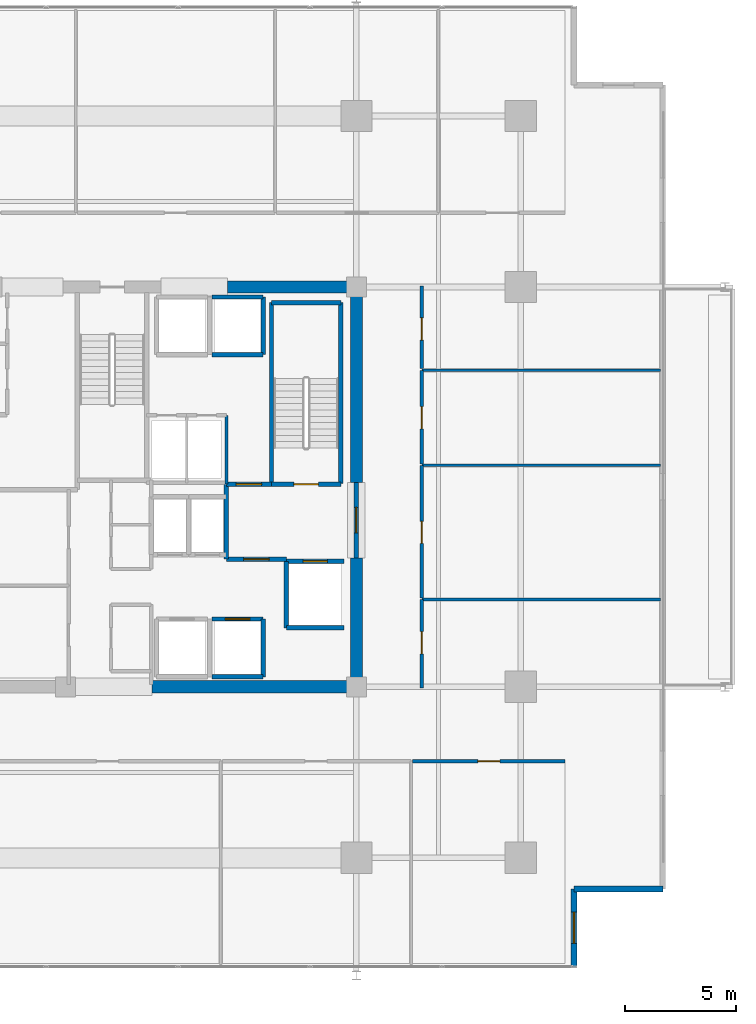
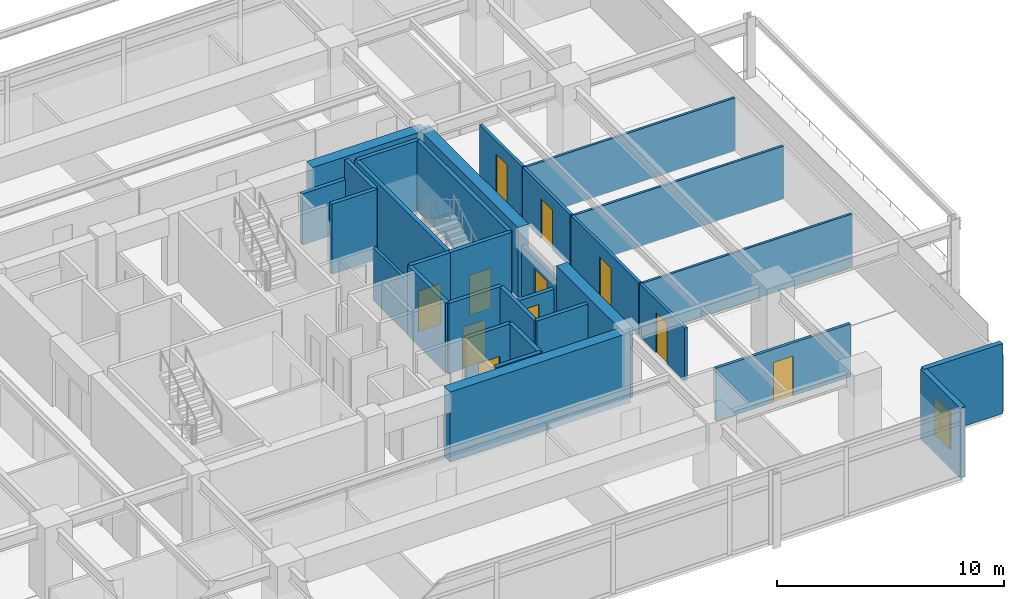
# One storey, part 16 of 21: 32 walls, 11 doors, 1 window, 12 openings.
"""IFC4 building model written with IfcOpenShell, lengths in metres."""

from ifc_helpers import new_model, si_unit, direction, frame, frame_2d, origin, place, context, subcontext, project, spatial, rectangle, extrude, material, layer, layer_set, type_object, element, fill, save


model = new_model("IFC4")

# Units and contexts
model_context = context("Model", 3, precision=1e-05, world=origin(), true_north=direction((0.0, 1.0)))
body_context = subcontext(model_context, "Body", "Model", "MODEL_VIEW")
ifc_project = project(units=[si_unit("LENGTHUNIT", "METRE"), si_unit("AREAUNIT", "SQUARE_METRE"), si_unit("VOLUMEUNIT", "CUBIC_METRE"), si_unit("PLANEANGLEUNIT", "RADIAN"), si_unit("MASSUNIT", "GRAM", prefix="KILO")], contexts=[model_context])

# Site, building, storey
site_placement = place(None, origin())
site = spatial("IfcSite", under=ifc_project, at=site_placement, CompositionType="ELEMENT")
building_placement = place(site_placement, origin())
building = spatial("IfcBuilding", under=site, at=building_placement, Name="Kovane Verandah Tower", CompositionType="ELEMENT")
storey_placement = place(building_placement, frame((0.0, 0.0, 205.199951171875)))
storey = spatial("IfcBuildingStorey", under=building, at=storey_placement, Name="L47", CompositionType="ELEMENT", Elevation=205.199951171875)

# Wall
ifc_material_1 = material(Name="Fire-Rated Gypsum Stud Partition", Category="gypsum")
ifc_layer_1 = layer(ifc_material_1, 0.14990234375)
ifc_layer_set_1 = layer_set([ifc_layer_1], Name="Fire-Rated Gypsum Stud Partition")
wall_type_1 = type_object("IfcWallType", Name="WL-COR-150", PredefinedType="PARTITIONING", material=ifc_layer_set_1)
wall_1_placement = place(storey_placement, frame((45.14990234375, 27.6201171875, 0.0), z_axis=(0.0, 0.0, 1.0), x_axis=(0.0, 1.0, 0.0)))
element("IfcWall", 1, at=wall_1_placement, inside=storey, type_object=wall_type_1, Name="L47 East Core Service Riser East Wall", PredefinedType="PARTITIONING", context=body_context, shape_type="SweptSolid", body=[
    extrude(rectangle(XDim=3.099853515625, YDim=0.14990234375, at=frame_2d((1.5498046875, 0.0))), origin(), (0.0, 0.0, 1.0), 2.85009765625),
])

# Wall, opening, door
wall_2_placement = place(storey_placement, frame((53.533935546875, 15.14990234375, 0.0), z_axis=(0.0, 0.0, 1.0), x_axis=(1.0, 0.0, 0.0)))
wall_2 = element("IfcWall", 2, at=wall_2_placement, inside=storey, type_object=wall_type_1, Name="L47 Document and Print Room S5 Corridor Partition", PredefinedType="PARTITIONING", context=body_context, shape_type="SweptSolid", body=[
    extrude(rectangle(XDim=6.865966796875, YDim=0.14990234375, at=frame_2d((3.43310546875, 0.0))), origin(), (0.0, 0.0, 1.0), 2.85009765625),
])
opening_1_placement = place(wall_2_placement, frame((2.93310546875, 0.0, 0.0)))
opening_1 = element("IfcOpeningElement", 3, at=opening_1_placement, cuts=wall_2, Name="Opening DR-L47-030", PredefinedType="OPENING", context=body_context, shape_type="SweptSolid", body=[
    extrude(rectangle(XDim=1.0, YDim=2.14990234375, at=frame_2d((0.5, 1.074951171875))), frame((0.0, 0.074951171875, 0.0), z_axis=(0.0, -1.0, 0.0), x_axis=(1.0, 0.0, 0.0)), (0.0, 0.0, 1.0), 0.14990234375),
])
ifc_material_2 = material(Name="FSC Spotted-Gum Timber Fire-Rated Office Door", Category="wood")
door_type_1 = type_object("IfcDoorType", Name="DR-OFF-1000", OperationType="SINGLE_SWING_LEFT", PredefinedType="DOOR", material=ifc_material_2)
door_1_placement = place(opening_1_placement, origin())
door_1 = element("IfcDoor", 4, at=door_1_placement, inside=storey, type_object=door_type_1, Name="L47 Document and Print Room S5 Entrance Door", OperationType="SINGLE_SWING_RIGHT", OverallHeight=2.14990234375, OverallWidth=1.0, PredefinedType="DOOR", context=body_context, shape_type="SweptSolid", body=[
    extrude(rectangle(XDim=1.0, YDim=2.14990234375, at=frame_2d((0.5, 1.074951171875))), frame((0.0, 0.02490234375, 0.0), z_axis=(0.0, -1.0, 0.0), x_axis=(1.0, 0.0, 0.0)), (0.0, 0.0, 1.0), 0.050048828125),
])
fill(opening_1, door_1)

wall_3_placement = place(storey_placement, frame((53.949951171875, 18.449951171875, 0.0), z_axis=(0.0, 0.0, 1.0), x_axis=(0.0, 1.0, 0.0)))
wall_3 = element("IfcWall", 5, at=wall_3_placement, inside=storey, type_object=wall_type_1, Name="L47 Meeting Room E1 Corridor Partition", PredefinedType="PARTITIONING", context=body_context, shape_type="SweptSolid", body=[
    extrude(rectangle(XDim=3.98193359375, YDim=0.14990234375, at=frame_2d((1.990966796875, 0.0))), origin(), (0.0, 0.0, 1.0), 2.85009765625),
])
opening_2_placement = place(wall_3_placement, frame((1.531005859375, 0.0, 0.0)))
opening_2 = element("IfcOpeningElement", 6, at=opening_2_placement, cuts=wall_3, Name="Opening DR-L47-012", PredefinedType="OPENING", context=body_context, shape_type="SweptSolid", body=[
    extrude(rectangle(XDim=1.0, YDim=2.14990234375, at=frame_2d((0.5, 1.074951171875))), frame((0.0, 0.074951171875, 0.0), z_axis=(0.0, -1.0, 0.0), x_axis=(1.0, 0.0, 0.0)), (0.0, 0.0, 1.0), 0.14990234375),
])
door_2_placement = place(opening_2_placement, origin())
door_2 = element("IfcDoor", 7, at=door_2_placement, inside=storey, type_object=door_type_1, Name="L47 Meeting Room E1 Entrance Door", OperationType="SINGLE_SWING_RIGHT", OverallHeight=2.14990234375, OverallWidth=1.0, PredefinedType="DOOR", context=body_context, shape_type="SweptSolid", body=[
    extrude(rectangle(XDim=1.0, YDim=2.14990234375, at=frame_2d((0.5, 1.074951171875))), frame((0.0, 0.02490234375, 0.0), z_axis=(0.0, -1.0, 0.0), x_axis=(1.0, 0.0, 0.0)), (0.0, 0.0, 1.0), 0.050048828125),
])
fill(opening_2, door_2)

wall_4_placement = place(storey_placement, frame((53.949951171875, 22.501953125, 0.0), z_axis=(0.0, 0.0, 1.0), x_axis=(0.0, 1.0, 0.0)))
wall_4 = element("IfcWall", 8, at=wall_4_placement, inside=storey, type_object=wall_type_1, Name="L47 Focus Studio E2 Corridor Partition", PredefinedType="PARTITIONING", context=body_context, shape_type="SweptSolid", body=[
    extrude(rectangle(XDim=5.968017578125, YDim=0.14990234375, at=frame_2d((2.98388671875, 0.0))), origin(), (0.0, 0.0, 1.0), 2.85009765625),
])
opening_3_placement = place(wall_4_placement, frame((2.448974609375, 0.0, 0.0)))
opening_3 = element("IfcOpeningElement", 9, at=opening_3_placement, cuts=wall_4, Name="Opening DR-L47-013", PredefinedType="OPENING", context=body_context, shape_type="SweptSolid", body=[
    extrude(rectangle(XDim=1.0, YDim=2.14990234375, at=frame_2d((0.5, 1.074951171875))), frame((0.0, 0.074951171875, 0.0), z_axis=(0.0, -1.0, 0.0), x_axis=(1.0, 0.0, 0.0)), (0.0, 0.0, 1.0), 0.14990234375),
])
door_3_placement = place(opening_3_placement, origin())
door_3 = element("IfcDoor", 10, at=door_3_placement, inside=storey, type_object=door_type_1, Name="L47 Focus Studio E2 Entrance Door", OperationType="SINGLE_SWING_LEFT", OverallHeight=2.14990234375, OverallWidth=1.0, PredefinedType="DOOR", context=body_context, shape_type="SweptSolid", body=[
    extrude(rectangle(XDim=1.0, YDim=2.14990234375, at=frame_2d((0.5, 1.074951171875))), frame((0.0, 0.02490234375, 0.0), z_axis=(0.0, -1.0, 0.0), x_axis=(1.0, 0.0, 0.0)), (0.0, 0.0, 1.0), 0.050048828125),
])
fill(opening_3, door_3)

wall_5_placement = place(storey_placement, frame((53.949951171875, 28.5400390625, 0.0), z_axis=(0.0, 0.0, 1.0), x_axis=(0.0, 1.0, 0.0)))
wall_5 = element("IfcWall", 11, at=wall_5_placement, inside=storey, type_object=wall_type_1, Name="L47 Breakout Pantry E3 Corridor Partition", PredefinedType="PARTITIONING", context=body_context, shape_type="SweptSolid", body=[
    extrude(rectangle(XDim=4.208984375, YDim=0.14990234375, at=frame_2d((2.1044921875, 0.0))), origin(), (0.0, 0.0, 1.0), 2.85009765625),
])
opening_4_placement = place(wall_5_placement, frame((1.569580078125, 0.0, 0.0)))
opening_4 = element("IfcOpeningElement", 12, at=opening_4_placement, cuts=wall_5, Name="Opening DR-L47-014", PredefinedType="OPENING", context=body_context, shape_type="SweptSolid", body=[
    extrude(rectangle(XDim=1.0, YDim=2.14990234375, at=frame_2d((0.5, 1.074951171875))), frame((0.0, 0.074951171875, 0.0), z_axis=(0.0, -1.0, 0.0), x_axis=(1.0, 0.0, 0.0)), (0.0, 0.0, 1.0), 0.14990234375),
])
door_4_placement = place(opening_4_placement, origin())
door_4 = element("IfcDoor", 13, at=door_4_placement, inside=storey, type_object=door_type_1, Name="L47 Breakout Pantry E3 Entrance Door", OperationType="SINGLE_SWING_RIGHT", OverallHeight=2.14990234375, OverallWidth=1.0, PredefinedType="DOOR", context=body_context, shape_type="SweptSolid", body=[
    extrude(rectangle(XDim=1.0, YDim=2.14990234375, at=frame_2d((0.5, 1.074951171875))), frame((0.0, 0.02490234375, 0.0), z_axis=(0.0, -1.0, 0.0), x_axis=(1.0, 0.0, 0.0)), (0.0, 0.0, 1.0), 0.050048828125),
])
fill(opening_4, door_4)

wall_6_placement = place(storey_placement, frame((53.949951171875, 32.819091796875, 0.0), z_axis=(0.0, 0.0, 1.0), x_axis=(0.0, 1.0, 0.0)))
wall_6 = element("IfcWall", 14, at=wall_6_placement, inside=storey, type_object=wall_type_1, Name="L47 Collaboration Hub E4 Corridor Partition", PredefinedType="PARTITIONING", context=body_context, shape_type="SweptSolid", body=[
    extrude(rectangle(XDim=3.73095703125, YDim=0.14990234375, at=frame_2d((1.865478515625, 0.0))), origin(), (0.0, 0.0, 1.0), 2.85009765625),
])
opening_5_placement = place(wall_6_placement, frame((1.29052734375, 0.0, 0.0)))
opening_5 = element("IfcOpeningElement", 15, at=opening_5_placement, cuts=wall_6, Name="Opening DR-L47-015", PredefinedType="OPENING", context=body_context, shape_type="SweptSolid", body=[
    extrude(rectangle(XDim=1.0, YDim=2.14990234375, at=frame_2d((0.5, 1.074951171875))), frame((0.0, 0.074951171875, 0.0), z_axis=(0.0, -1.0, 0.0), x_axis=(1.0, 0.0, 0.0)), (0.0, 0.0, 1.0), 0.14990234375),
])
door_5_placement = place(opening_5_placement, origin())
door_5 = element("IfcDoor", 16, at=door_5_placement, inside=storey, type_object=door_type_1, Name="L47 Collaboration Hub E4 Entrance Door", OperationType="SINGLE_SWING_LEFT", OverallHeight=2.14990234375, OverallWidth=1.0, PredefinedType="DOOR", context=body_context, shape_type="SweptSolid", body=[
    extrude(rectangle(XDim=1.0, YDim=2.14990234375, at=frame_2d((0.5, 1.074951171875))), frame((0.0, 0.02490234375, 0.0), z_axis=(0.0, -1.0, 0.0), x_axis=(1.0, 0.0, 0.0)), (0.0, 0.0, 1.0), 0.050048828125),
])
fill(opening_5, door_5)

# Walls
ifc_material_3 = material(Name="Concrete C60/75", Category="concrete")
ifc_layer_2 = layer(ifc_material_3, 0.550048828125)
ifc_layer_set_2 = layer_set([ifc_layer_2], Name="Concrete C60/75")
wall_type_2 = type_object("IfcWallType", Name="WL-CORE-550", PredefinedType="SHEAR", material=ifc_layer_set_2)
wall_7_placement = place(storey_placement, frame((41.800048828125, 18.5, 0.0), z_axis=(0.0, 0.0, 1.0), x_axis=(1.0, 0.0, 0.0)))
element("IfcWall", 17, at=wall_7_placement, inside=storey, type_object=wall_type_2, Name="L47 Core Shear Wall CS-2", PredefinedType="SHEAR", context=body_context, shape_type="SweptSolid", body=[
    extrude(rectangle(XDim=9.199951171875, YDim=0.550048828125, at=frame_2d((4.60009765625, 0.0))), origin(), (0.0, 0.0, 1.0), 3.775146484375),
])
for number, where, z_axis, x_axis, name in (
    (18, (45.199951171875, 36.5, 0.0), (0.0, 0.0, 1.0), (1.0, 0.0, 0.0), "L47 Core Shear Wall CN-3"),
    (19, (51.0, 18.5, 0.0), (0.0, 0.0, 1.0), (0.0, 1.0, 0.0), "L47 Core Shear Wall CE-1"),
):
    element("IfcWall", number, at=place(storey_placement, frame(where, z_axis=z_axis, x_axis=x_axis)), inside=storey, type_object=wall_type_2, Name=name, PredefinedType="SHEAR", context=body_context, shape_type="SweptSolid", body=[
        extrude(rectangle(XDim=5.800048828125, YDim=0.550048828125, at=frame_2d((2.89990234375, 0.0))), origin(), (0.0, 0.0, 1.0), 3.775146484375),
    ])
wall_8_placement = place(storey_placement, frame((51.0, 27.699951171875, 0.0), z_axis=(0.0, 0.0, 1.0), x_axis=(0.0, 1.0, 0.0)))
element("IfcWall", 20, at=wall_8_placement, inside=storey, type_object=wall_type_2, Name="L47 Core Shear Wall CE-2", PredefinedType="SHEAR", context=body_context, shape_type="SweptSolid", body=[
    extrude(rectangle(XDim=8.800048828125, YDim=0.550048828125, at=frame_2d((4.39990234375, 0.0))), origin(), (0.0, 0.0, 1.0), 3.775146484375),
])
ifc_material_4 = material(Name="Concrete C45/55 Fire Wall", Category="concrete")
ifc_layer_3 = layer(ifc_material_4, 0.199951171875)
ifc_layer_set_3 = layer_set([ifc_layer_3], Name="Concrete C45/55 Fire Wall")
wall_type_3 = type_object("IfcWallType", Name="WL-FFL-200", PredefinedType="PARTITIONING", material=ifc_layer_set_3)
wall_9_placement = place(storey_placement, frame((45.14990234375, 24.25, 0.0), z_axis=(0.0, 0.0, 1.0), x_axis=(0.0, 1.0, 0.0)))
element("IfcWall", 21, at=wall_9_placement, inside=storey, type_object=wall_type_3, Name="L47 East Firefighting Lobby West Fire Wall", PredefinedType="PARTITIONING", context=body_context, shape_type="SweptSolid", body=[
    extrude(rectangle(XDim=3.3701171875, YDim=0.199951171875, at=frame_2d((1.68505859375, 0.0))), origin(), (0.0, 0.0, 1.0), 3.775146484375),
])

# Wall, opening, door
wall_10_placement = place(storey_placement, frame((45.14990234375, 24.25, 0.0), z_axis=(0.0, 0.0, 1.0), x_axis=(1.0, 0.0, 0.0)))
wall_10 = element("IfcWall", 22, at=wall_10_placement, inside=storey, type_object=wall_type_3, Name="W-L47-FFLE-S", PredefinedType="PARTITIONING", context=body_context, shape_type="SweptSolid", body=[
    extrude(rectangle(XDim=2.7001953125, YDim=0.199951171875, at=frame_2d((1.35009765625, 0.0))), origin(), (0.0, 0.0, 1.0), 3.775146484375),
])
opening_6_placement = place(wall_10_placement, frame((0.77490234375, 0.0, 0.0)))
opening_6 = element("IfcOpeningElement", 23, at=opening_6_placement, cuts=wall_10, Name="Opening DR-L47-003", PredefinedType="OPENING", context=body_context, shape_type="SweptSolid", body=[
    extrude(rectangle(XDim=1.14990234375, YDim=2.199951171875, at=frame_2d((0.574951171875, 1.10009765625))), frame((0.0, 0.10009765625, 0.0), z_axis=(0.0, -1.0, 0.0), x_axis=(1.0, 0.0, 0.0)), (0.0, 0.0, 1.0), 0.199951171875),
])
ifc_material_5 = material(Name="Smoke-Sealed Firefighting Lobby Door", Category="steel")
door_type_2 = type_object("IfcDoorType", Name="DR-FFL-1150", OperationType="SINGLE_SWING_LEFT", PredefinedType="DOOR", material=ifc_material_5)
door_6_placement = place(opening_6_placement, origin())
door_6 = element("IfcDoor", 24, at=door_6_placement, inside=storey, type_object=door_type_2, Name="L47 East Firefighting Lobby Inner Door", OperationType="SINGLE_SWING_RIGHT", OverallHeight=2.199951171875, OverallWidth=1.14990234375, PredefinedType="DOOR", context=body_context, shape_type="SweptSolid", body=[
    extrude(rectangle(XDim=1.14990234375, YDim=2.199951171875, at=frame_2d((0.574951171875, 1.10009765625))), frame((0.0, 0.02490234375, 0.0), z_axis=(0.0, -1.0, 0.0), x_axis=(1.0, 0.0, 0.0)), (0.0, 0.0, 1.0), 0.050048828125),
])
fill(opening_6, door_6)

wall_11_placement = place(storey_placement, frame((45.14990234375, 27.6201171875, 0.0), z_axis=(0.0, 0.0, 1.0), x_axis=(1.0, 0.0, 0.0)))
wall_11 = element("IfcWall", 25, at=wall_11_placement, inside=storey, type_object=wall_type_3, Name="W-L47-FFLE-N", PredefinedType="PARTITIONING", context=body_context, shape_type="SweptSolid", body=[
    extrude(rectangle(XDim=2.030029296875, YDim=0.199951171875, at=frame_2d((1.01513671875, 0.0))), origin(), (0.0, 0.0, 1.0), 3.775146484375),
])
opening_7_placement = place(wall_11_placement, frame((0.43994140625, 0.0, 0.0)))
opening_7 = element("IfcOpeningElement", 26, at=opening_7_placement, cuts=wall_11, Name="Opening DR-L47-004", PredefinedType="OPENING", context=body_context, shape_type="SweptSolid", body=[
    extrude(rectangle(XDim=1.14990234375, YDim=2.199951171875, at=frame_2d((0.574951171875, 1.10009765625))), frame((0.0, 0.10009765625, 0.0), z_axis=(0.0, -1.0, 0.0), x_axis=(1.0, 0.0, 0.0)), (0.0, 0.0, 1.0), 0.199951171875),
])
door_7_placement = place(opening_7_placement, origin())
door_7 = element("IfcDoor", 27, at=door_7_placement, inside=storey, type_object=door_type_2, Name="L47 East Firefighting Lobby Shuttle Link Door", OperationType="SINGLE_SWING_LEFT", OverallHeight=2.199951171875, OverallWidth=1.14990234375, PredefinedType="DOOR", context=body_context, shape_type="SweptSolid", body=[
    extrude(rectangle(XDim=1.14990234375, YDim=2.199951171875, at=frame_2d((0.574951171875, 1.10009765625))), frame((0.0, 0.02490234375, 0.0), z_axis=(0.0, -1.0, 0.0), x_axis=(1.0, 0.0, 0.0)), (0.0, 0.0, 1.0), 0.050048828125),
])
fill(opening_7, door_7)

wall_12_placement = place(storey_placement, frame((51.0, 24.300048828125, 0.0), z_axis=(0.0, 0.0, 1.0), x_axis=(0.0, 1.0, 0.0)))
wall_12 = element("IfcWall", 28, at=wall_12_placement, inside=storey, type_object=wall_type_3, Name="W-L47-FFLE-OUT", PredefinedType="PARTITIONING", context=body_context, shape_type="SweptSolid", body=[
    extrude(rectangle(XDim=3.39990234375, YDim=0.199951171875, at=frame_2d((1.699951171875, 0.0))), origin(), (0.0, 0.0, 1.0), 2.755126953125),
])
opening_8_placement = place(wall_12_placement, frame((1.125, 0.0, 0.0)))
opening_8 = element("IfcOpeningElement", 29, at=opening_8_placement, cuts=wall_12, Name="Opening DR-L47-005", PredefinedType="OPENING", context=body_context, shape_type="SweptSolid", body=[
    extrude(rectangle(XDim=1.14990234375, YDim=2.199951171875, at=frame_2d((0.574951171875, 1.10009765625))), frame((0.0, 0.10009765625, 0.0), z_axis=(0.0, -1.0, 0.0), x_axis=(1.0, 0.0, 0.0)), (0.0, 0.0, 1.0), 0.199951171875),
])
door_8_placement = place(opening_8_placement, origin())
door_8 = element("IfcDoor", 30, at=door_8_placement, inside=storey, type_object=door_type_2, Name="L47 East Firefighting Lobby Corridor Door", OperationType="SINGLE_SWING_LEFT", OverallHeight=2.199951171875, OverallWidth=1.14990234375, PredefinedType="DOOR", context=body_context, shape_type="SweptSolid", body=[
    extrude(rectangle(XDim=1.14990234375, YDim=2.199951171875, at=frame_2d((0.574951171875, 1.10009765625))), frame((0.0, 0.02490234375, 0.0), z_axis=(0.0, -1.0, 0.0), x_axis=(1.0, 0.0, 0.0)), (0.0, 0.0, 1.0), 0.050048828125),
])
fill(opening_8, door_8)

# Wall
ifc_material_6 = material(Name="Concrete C45/55 Lift Shaft Wall", Category="concrete")
ifc_layer_4 = layer(ifc_material_6, 0.199951171875)
ifc_layer_set_4 = layer_set([ifc_layer_4], Name="Concrete C45/55 Lift Shaft Wall")
wall_type_4 = type_object("IfcWallType", Name="WL-LIFT-200", PredefinedType="SOLIDWALL", material=ifc_layer_set_4)
wall_13_placement = place(storey_placement, frame((47.85009765625, 21.14990234375, 0.0), z_axis=(0.0, 0.0, 1.0), x_axis=(1.0, 0.0, 0.0)))
element("IfcWall", 31, at=wall_13_placement, inside=storey, type_object=wall_type_4, Name="L47 Lift FL-02 S Shaft Wall", PredefinedType="SOLIDWALL", context=body_context, shape_type="SweptSolid", body=[
    extrude(rectangle(XDim=2.599853515625, YDim=0.199951171875, at=frame_2d((1.2998046875, 0.0))), origin(), (0.0, 0.0, 1.0), 3.775146484375),
])

# Wall, opening, door
wall_14_placement = place(storey_placement, frame((50.449951171875, 24.14990234375, 0.0), z_axis=(0.0, 0.0, 1.0), x_axis=(-1.0, 0.0, 0.0)))
wall_14 = element("IfcWall", 32, at=wall_14_placement, inside=storey, type_object=wall_type_4, Name="L47 Lift FL-02 N Shaft Wall", PredefinedType="SOLIDWALL", context=body_context, shape_type="SweptSolid", body=[
    extrude(rectangle(XDim=2.599853515625, YDim=0.199951171875, at=frame_2d((1.2998046875, 0.0))), origin(), (0.0, 0.0, 1.0), 2.755126953125),
])
opening_9_placement = place(wall_14_placement, frame((0.75, 0.0, 0.0)))
opening_9 = element("IfcOpeningElement", 33, at=opening_9_placement, cuts=wall_14, Name="Opening LD-L47-002", PredefinedType="OPENING", context=body_context, shape_type="SweptSolid", body=[
    extrude(rectangle(XDim=1.10009765625, YDim=2.199951171875, at=frame_2d((0.550048828125, 1.10009765625))), frame((0.0, 0.10009765625, 0.0), z_axis=(0.0, -1.0, 0.0), x_axis=(1.0, 0.0, 0.0)), (0.0, 0.0, 1.0), 0.199951171875),
])
ifc_material_7 = material(Name="Brushed Stainless Steel Sliding Lift Landing Door", Category="steel")
door_type_3 = type_object("IfcDoorType", Name="DR-LIFT-1100", OperationType="SLIDING_TO_RIGHT", PredefinedType="DOOR", material=ifc_material_7)
door_9_placement = place(opening_9_placement, origin())
door_9 = element("IfcDoor", 34, at=door_9_placement, inside=storey, type_object=door_type_3, Name="L47 Lift FL-02 Sliding Landing Door", OperationType="SLIDING_TO_RIGHT", OverallHeight=2.199951171875, OverallWidth=1.10009765625, PredefinedType="DOOR", context=body_context, shape_type="SweptSolid", body=[
    extrude(rectangle(XDim=1.10009765625, YDim=2.199951171875, at=frame_2d((0.550048828125, 1.10009765625))), frame((0.0, 0.02490234375, 0.0), z_axis=(0.0, -1.0, 0.0), x_axis=(1.0, 0.0, 0.0)), (0.0, 0.0, 1.0), 0.050048828125),
])
fill(opening_9, door_9)

# Walls
wall_15_placement = place(storey_placement, frame((47.85009765625, 24.14990234375, 0.0), z_axis=(0.0, 0.0, 1.0), x_axis=(0.0, -1.0, 0.0)))
element("IfcWall", 35, at=wall_15_placement, inside=storey, type_object=wall_type_4, Name="L47 Lift FL-02 W Shaft Wall", PredefinedType="SOLIDWALL", context=body_context, shape_type="SweptSolid", body=[
    extrude(rectangle(XDim=3.0, YDim=0.199951171875, at=frame_2d((1.5, 0.0))), origin(), (0.0, 0.0, 1.0), 3.775146484375),
])
wall_16_placement = place(storey_placement, frame((44.5, 18.949951171875, 0.0), z_axis=(0.0, 0.0, 1.0), x_axis=(1.0, 0.0, 0.0)))
element("IfcWall", 36, at=wall_16_placement, inside=storey, type_object=wall_type_4, Name="L47 Lift PL-M2 S Shaft Wall", PredefinedType="SOLIDWALL", context=body_context, shape_type="SweptSolid", body=[
    extrude(rectangle(XDim=2.300048828125, YDim=0.199951171875, at=frame_2d((1.14990234375, 0.0))), origin(), (0.0, 0.0, 1.0), 3.775146484375),
])

# Wall, opening, door
wall_17_placement = place(storey_placement, frame((46.800048828125, 21.550048828125, 0.0), z_axis=(0.0, 0.0, 1.0), x_axis=(-1.0, 0.0, 0.0)))
wall_17 = element("IfcWall", 37, at=wall_17_placement, inside=storey, type_object=wall_type_4, Name="L47 Lift PL-M2 N Shaft Wall", PredefinedType="SOLIDWALL", context=body_context, shape_type="SweptSolid", body=[
    extrude(rectangle(XDim=2.300048828125, YDim=0.199951171875, at=frame_2d((1.14990234375, 0.0))), origin(), (0.0, 0.0, 1.0), 3.775146484375),
])
opening_10_placement = place(wall_17_placement, frame((0.60009765625, 0.0, 0.0)))
opening_10 = element("IfcOpeningElement", 38, at=opening_10_placement, cuts=wall_17, Name="Opening LD-L47-005", PredefinedType="OPENING", context=body_context, shape_type="SweptSolid", body=[
    extrude(rectangle(XDim=1.10009765625, YDim=2.199951171875, at=frame_2d((0.550048828125, 1.10009765625))), frame((0.0, 0.10009765625, 0.0), z_axis=(0.0, -1.0, 0.0), x_axis=(1.0, 0.0, 0.0)), (0.0, 0.0, 1.0), 0.199951171875),
])
door_10_placement = place(opening_10_placement, origin())
door_10 = element("IfcDoor", 39, at=door_10_placement, inside=storey, type_object=door_type_3, Name="L47 Lift PL-M2 Sliding Landing Door", OperationType="SLIDING_TO_RIGHT", OverallHeight=2.199951171875, OverallWidth=1.10009765625, PredefinedType="DOOR", context=body_context, shape_type="SweptSolid", body=[
    extrude(rectangle(XDim=1.10009765625, YDim=2.199951171875, at=frame_2d((0.550048828125, 1.10009765625))), frame((0.0, 0.02490234375, 0.0), z_axis=(0.0, -1.0, 0.0), x_axis=(1.0, 0.0, 0.0)), (0.0, 0.0, 1.0), 0.050048828125),
])
fill(opening_10, door_10)

# Walls
wall_18_placement = place(storey_placement, frame((46.800048828125, 18.949951171875, 0.0), z_axis=(0.0, 0.0, 1.0), x_axis=(0.0, 1.0, 0.0)))
element("IfcWall", 40, at=wall_18_placement, inside=storey, type_object=wall_type_4, Name="L47 Lift PL-M2 E Shaft Wall", PredefinedType="SOLIDWALL", context=body_context, shape_type="SweptSolid", body=[
    extrude(rectangle(XDim=2.60009765625, YDim=0.199951171875, at=frame_2d((1.300048828125, 0.0))), origin(), (0.0, 0.0, 1.0), 3.775146484375),
])
wall_19_placement = place(storey_placement, frame((44.5, 33.449951171875, 0.0), z_axis=(0.0, 0.0, 1.0), x_axis=(1.0, 0.0, 0.0)))
element("IfcWall", 41, at=wall_19_placement, inside=storey, type_object=wall_type_4, Name="L47 Lift OL-01 S Shaft Wall", PredefinedType="SOLIDWALL", context=body_context, shape_type="SweptSolid", body=[
    extrude(rectangle(XDim=2.300048828125, YDim=0.199951171875, at=frame_2d((1.14990234375, 0.0))), origin(), (0.0, 0.0, 1.0), 3.775146484375),
])
wall_20_placement = place(storey_placement, frame((46.800048828125, 36.050048828125, 0.0), z_axis=(0.0, 0.0, 1.0), x_axis=(-1.0, 0.0, 0.0)))
element("IfcWall", 42, at=wall_20_placement, inside=storey, type_object=wall_type_4, Name="L47 Lift OL-01 N Shaft Wall", PredefinedType="SOLIDWALL", context=body_context, shape_type="SweptSolid", body=[
    extrude(rectangle(XDim=2.300048828125, YDim=0.199951171875, at=frame_2d((1.14990234375, 0.0))), origin(), (0.0, 0.0, 1.0), 2.755126953125),
])
wall_21_placement = place(storey_placement, frame((46.800048828125, 33.449951171875, 0.0), z_axis=(0.0, 0.0, 1.0), x_axis=(0.0, 1.0, 0.0)))
element("IfcWall", 43, at=wall_21_placement, inside=storey, type_object=wall_type_4, Name="L47 Lift OL-01 E Shaft Wall", PredefinedType="SOLIDWALL", context=body_context, shape_type="SweptSolid", body=[
    extrude(rectangle(XDim=2.60009765625, YDim=0.199951171875, at=frame_2d((1.300048828125, 0.0))), origin(), (0.0, 0.0, 1.0), 3.775146484375),
])
ifc_material_8 = material(Name="Acoustic Fire-Rated Gypsum Partition", Category="gypsum")
ifc_layer_5 = layer(ifc_material_8, 0.1201171875)
ifc_layer_set_5 = layer_set([ifc_layer_5], Name="Acoustic Fire-Rated Gypsum Partition")
wall_type_5 = type_object("IfcWallType", Name="WL-PART-120", PredefinedType="PARTITIONING", material=ifc_layer_set_5)
for number, where, z_axis, x_axis, name in (
    (44, (53.949951171875, 22.431884765625, 0.0), (0.0, 0.0, 1.0), (1.0, 0.0, 0.0), "L47 Meeting Room E1 Dividing Partition"),
    (45, (53.949951171875, 28.469970703125, 0.0), (0.0, 0.0, 1.0), (1.0, 0.0, 0.0), "L47 Focus Studio E2 Dividing Partition"),
    (46, (53.949951171875, 32.7490234375, 0.0), (0.0, 0.0, 1.0), (1.0, 0.0, 0.0), "L47 Breakout Pantry E3 Dividing Partition"),
):
    element("IfcWall", number, at=place(storey_placement, frame(where, z_axis=z_axis, x_axis=x_axis)), inside=storey, type_object=wall_type_5, Name=name, PredefinedType="PARTITIONING", context=body_context, shape_type="SweptSolid", body=[
        extrude(rectangle(XDim=10.75, YDim=0.1201171875, at=frame_2d((5.375, 0.0))), origin(), (0.0, 0.0, 1.0), 2.85009765625),
    ])
ifc_material_9 = material(Name="Concrete C45/55", Category="concrete")
ifc_layer_6 = layer(ifc_material_9, 0.199951171875)
ifc_layer_set_6 = layer_set([ifc_layer_6], Name="Concrete C45/55")
wall_type_6 = type_object("IfcWallType", Name="WL-SHAFT-200", PredefinedType="SOLIDWALL", material=ifc_layer_set_6)
wall_22_placement = place(storey_placement, frame((50.300048828125, 27.64990234375, 0.0), z_axis=(0.0, 0.0, 1.0), x_axis=(0.0, 1.0, 0.0)))
element("IfcWall", 47, at=wall_22_placement, inside=storey, type_object=wall_type_6, Name="W-L47-ST02-E", PredefinedType="SOLIDWALL", context=body_context, shape_type="SweptSolid", body=[
    extrude(rectangle(XDim=8.150146484375, YDim=0.199951171875, at=frame_2d((4.0751953125, 0.0))), origin(), (0.0, 0.0, 1.0), 3.775146484375),
])
wall_23_placement = place(storey_placement, frame((47.179931640625, 35.800048828125, 0.0), z_axis=(0.0, 0.0, 1.0), x_axis=(1.0, 0.0, 0.0)))
element("IfcWall", 48, at=wall_23_placement, inside=storey, type_object=wall_type_6, Name="W-L47-ST02-N", PredefinedType="SOLIDWALL", context=body_context, shape_type="SweptSolid", body=[
    extrude(rectangle(XDim=3.1201171875, YDim=0.199951171875, at=frame_2d((1.56005859375, 0.0))), origin(), (0.0, 0.0, 1.0), 3.775146484375),
])
wall_24_placement = place(storey_placement, frame((47.179931640625, 27.6201171875, 0.0), z_axis=(0.0, 0.0, 1.0), x_axis=(0.0, 1.0, 0.0)))
element("IfcWall", 49, at=wall_24_placement, inside=storey, type_object=wall_type_6, Name="W-L47-ST02-W", PredefinedType="SOLIDWALL", context=body_context, shape_type="SweptSolid", body=[
    extrude(rectangle(XDim=8.179931640625, YDim=0.199951171875, at=frame_2d((4.08984375, 0.0))), origin(), (0.0, 0.0, 1.0), 3.775146484375),
])

# Wall, opening, door
wall_25_placement = place(storey_placement, frame((47.179931640625, 27.6201171875, 0.0), z_axis=(0.0, 0.0, 1.0), x_axis=(1.0, 0.0, 0.0)))
wall_25 = element("IfcWall", 50, at=wall_25_placement, inside=storey, type_object=wall_type_6, Name="W-L47-ST02-S", PredefinedType="SOLIDWALL", context=body_context, shape_type="SweptSolid", body=[
    extrude(rectangle(XDim=3.1201171875, YDim=0.199951171875, at=frame_2d((1.56005859375, 0.0))), origin(), (0.0, 0.0, 1.0), 3.775146484375),
])
opening_11_placement = place(wall_25_placement, frame((1.010009765625, 0.0, 0.0)))
opening_11 = element("IfcOpeningElement", 51, at=opening_11_placement, cuts=wall_25, Name="Opening DR-L47-010", PredefinedType="OPENING", context=body_context, shape_type="SweptSolid", body=[
    extrude(rectangle(XDim=1.10009765625, YDim=2.14990234375, at=frame_2d((0.550048828125, 1.074951171875))), frame((0.0, 0.10009765625, 0.0), z_axis=(0.0, -1.0, 0.0), x_axis=(1.0, 0.0, 0.0)), (0.0, 0.0, 1.0), 0.199951171875),
])
ifc_material_10 = material(Name="Fire-Rated Steel Exit Door", Category="steel")
door_type_4 = type_object("IfcDoorType", Name="DR-STAIR-1100", OperationType="SINGLE_SWING_LEFT", PredefinedType="DOOR", material=ifc_material_10)
door_11_placement = place(opening_11_placement, origin())
door_11 = element("IfcDoor", 52, at=door_11_placement, inside=storey, type_object=door_type_4, Name="L47 ST-02 Fire Exit Stair Door", OperationType="SINGLE_SWING_LEFT", OverallHeight=2.14990234375, OverallWidth=1.10009765625, PredefinedType="DOOR", context=body_context, shape_type="SweptSolid", body=[
    extrude(rectangle(XDim=1.10009765625, YDim=2.14990234375, at=frame_2d((0.550048828125, 1.074951171875))), frame((0.0, 0.02490234375, 0.0), z_axis=(0.0, -1.0, 0.0), x_axis=(1.0, 0.0, 0.0)), (0.0, 0.0, 1.0), 0.050048828125),
])
fill(opening_11, door_11)

# Wall, opening, window
ifc_material_11 = material(Name="Concrete C45/55 Insulated Spandrel Wall", Category="concrete")
ifc_layer_7 = layer(ifc_material_11, 0.260009765625)
ifc_layer_set_7 = layer_set([ifc_layer_7], Name="Concrete C45/55 Insulated Spandrel Wall")
wall_type_7 = type_object("IfcWallType", Name="WL-SPANDREL-260", PredefinedType="PARAPET", material=ifc_layer_set_7)
wall_26_placement = place(storey_placement, frame((60.800048828125, 5.89990234375, 0.0), z_axis=(0.0, 0.0, 1.0), x_axis=(0.0, 1.0, 0.0)))
wall_26 = element("IfcWall", 53, at=wall_26_placement, inside=storey, type_object=wall_type_7, Name="L47 SE Notch Cheek Wall 1", PredefinedType="PARAPET", context=body_context, shape_type="SweptSolid", body=[
    extrude(rectangle(XDim=3.5, YDim=0.260009765625, at=frame_2d((1.75, 0.0))), origin(), (0.0, 0.0, 1.0), 3.775146484375),
])
opening_12_placement = place(wall_26_placement, frame((1.050048828125, 0.0, 0.85009765625)))
opening_12 = element("IfcOpeningElement", 54, at=opening_12_placement, cuts=wall_26, Name="Opening W-01", PredefinedType="OPENING", context=body_context, shape_type="SweptSolid", body=[
    extrude(rectangle(XDim=1.39990234375, YDim=2.0, at=frame_2d((0.699951171875, 1.0))), frame((0.0, 0.1298828125, 0.0), z_axis=(0.0, -1.0, 0.0), x_axis=(1.0, 0.0, 0.0)), (0.0, 0.0, 1.0), 0.260009765625),
])
ifc_material_12 = material(Name="Clear Low-E Laminated Double Glazing in Anodised Frame", Category="glass")
window_type = type_object("IfcWindowType", Name="WN-OPER-1400x2000", PartitioningType="SINGLE_PANEL", PredefinedType="WINDOW", material=ifc_material_12)
window_placement = place(opening_12_placement, origin())
window = element("IfcWindow", 55, at=window_placement, inside=storey, type_object=window_type, Name="L47 SE Re-Entrant Corner Operable Window", OverallHeight=2.0, OverallWidth=1.39990234375, PartitioningType="SINGLE_PANEL", PredefinedType="WINDOW", context=body_context, shape_type="SweptSolid", body=[
    extrude(rectangle(XDim=1.39990234375, YDim=2.0, at=frame_2d((0.699951171875, 1.0))), frame((0.0, 0.030029296875, 0.0), z_axis=(0.0, -1.0, 0.0), x_axis=(1.0, 0.0, 0.0)), (0.0, 0.0, 1.0), 0.06005859375),
])
fill(opening_12, window)

# Wall
wall_27_placement = place(storey_placement, frame((60.800048828125, 9.39990234375, 0.0), z_axis=(0.0, 0.0, 1.0), x_axis=(1.0, 0.0, 0.0)))
element("IfcWall", 56, at=wall_27_placement, inside=storey, type_object=wall_type_7, Name="L47 SE Notch Cheek Wall 2", PredefinedType="PARAPET", context=body_context, shape_type="SweptSolid", body=[
    extrude(rectangle(XDim=4.0, YDim=0.260009765625, at=frame_2d((2.0, 0.0))), origin(), (0.0, 0.0, 1.0), 3.775146484375),
])

save(model, "model.ifc")
